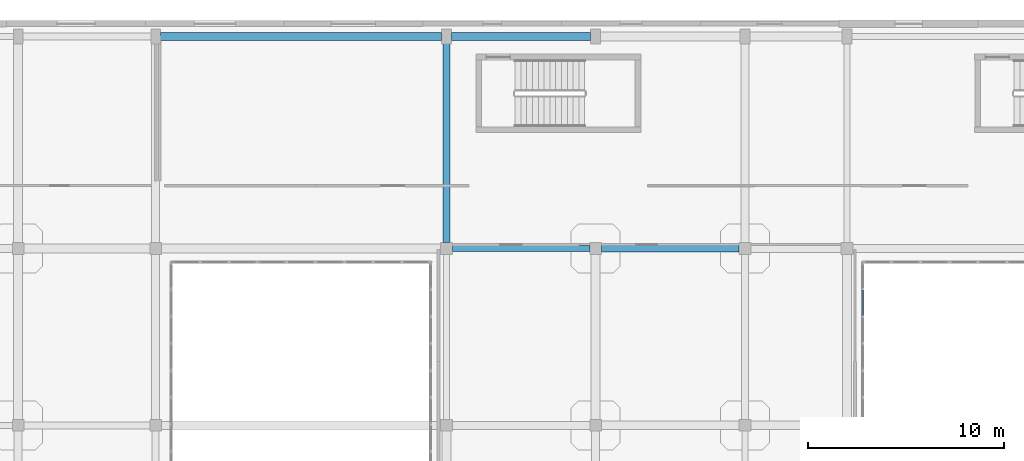
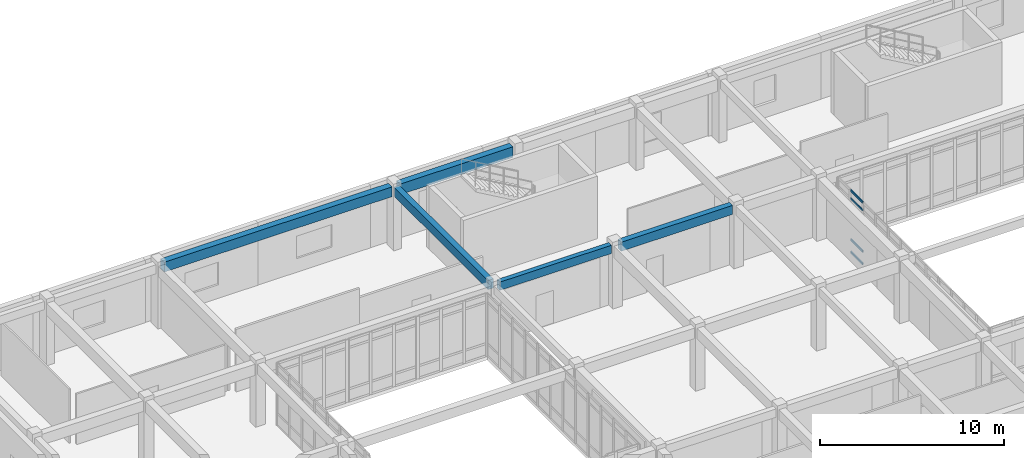
# One storey, part 93 of 142: 5 beams, 4 members, 1 element without a shape of its own.
"""IFC4 building model written with IfcOpenShell, lengths in metres."""

from ifc_helpers import new_model, si_unit, direction, frame, origin, origin_2d, place, context, subcontext, project, spatial, rectangle, hollow_rectangle, extrude, material, layer, layer_set, material_profile, profile_set, type_object, element, aggregate, save


model = new_model("IFC4")

# Units and contexts
model_context = context("Model", 3, precision=1e-05, world=origin(), true_north=direction((0.0, 1.0)))
body_context = subcontext(model_context, "Body", "Model", "MODEL_VIEW")
ifc_project = project(units=[si_unit("LENGTHUNIT", "METRE"), si_unit("AREAUNIT", "SQUARE_METRE"), si_unit("VOLUMEUNIT", "CUBIC_METRE"), si_unit("PLANEANGLEUNIT", "RADIAN"), si_unit("MASSUNIT", "GRAM", prefix="KILO")], contexts=[model_context])

# Site, building, storey
site_placement = place(None, origin())
site = spatial("IfcSite", under=ifc_project, at=site_placement, CompositionType="ELEMENT")
building_placement = place(site_placement, origin())
building = spatial("IfcBuilding", under=site, at=building_placement, Name="Valcora Specialist Clinic", CompositionType="ELEMENT")
storey_placement = place(building_placement, frame((0.0, 0.0, 5.10009765625)))
storey = spatial("IfcBuildingStorey", under=building, at=storey_placement, Name="L01", CompositionType="ELEMENT", Elevation=5.10009765625)

# Beams
ifc_material_1 = material(Name="Concrete C40/50", Category="concrete")
ifc_material_profile_1 = material_profile(ifc_material_1, rectangle(XDim=0.300048828125, YDim=0.550048828125, at=origin_2d()), Name="RC-BM-300X550")
ifc_profile_set_1 = profile_set([ifc_material_profile_1], Name="Concrete C40/50")
beam_type_1 = type_object("IfcBeamType", Name="TY-BM-RC300X550", PredefinedType="BEAM", material=ifc_profile_set_1)
beam_1_placement = place(storey_placement, frame((91.10009765625, 99.199951171875, 3.869873046875), z_axis=(1.0, 0.0, 0.0), x_axis=(0.0, 1.0, 0.0)))
element("IfcBeam", 1, at=beam_1_placement, inside=storey, type_object=beam_type_1, Name="Beam BM-L01-0643", PredefinedType="BEAM", context=body_context, shape_type="SweptSolid", body=[
    extrude(rectangle(XDim=0.300048828125, YDim=0.550048828125, at=origin_2d()), origin(), (0.0, 0.0, 1.0), 7.0),
])
ifc_material_profile_2 = material_profile(ifc_material_1, rectangle(XDim=0.35009765625, YDim=0.60009765625, at=origin_2d()), Name="RC-BM-350X600")
ifc_profile_set_2 = profile_set([ifc_material_profile_2], Name="Concrete C40/50")
beam_type_2 = type_object("IfcBeamType", Name="TY-BM-RC350X600", PredefinedType="BEAM", material=ifc_profile_set_2)
beam_2_placement = place(storey_placement, frame((98.699951171875, 99.199951171875, 3.844970703125), z_axis=(1.0, 0.0, 0.0), x_axis=(0.0, 1.0, 0.0)))
element("IfcBeam", 2, at=beam_2_placement, inside=storey, type_object=beam_type_2, Name="Beam BM-L01-0644", PredefinedType="BEAM", context=body_context, shape_type="SweptSolid", body=[
    extrude(rectangle(XDim=0.35009765625, YDim=0.60009765625, at=origin_2d()), origin(), (0.0, 0.0, 1.0), 7.0),
])
beam_3_placement = place(storey_placement, frame((90.800048828125, 99.5, 3.844970703125), z_axis=(0.0, 1.0, 0.0), x_axis=(-1.0, 0.0, 0.0)))
element("IfcBeam", 3, at=beam_3_placement, inside=storey, type_object=beam_type_2, Name="Beam BM-L01-0672", PredefinedType="BEAM", context=body_context, shape_type="SweptSolid", body=[
    extrude(rectangle(XDim=0.35009765625, YDim=0.60009765625, at=origin_2d()), origin(), (0.0, 0.0, 1.0), 10.25),
])
ifc_material_profile_3 = material_profile(ifc_material_1, rectangle(XDim=0.39990234375, YDim=0.64990234375, at=origin_2d()), Name="RC-BM-400X650")
ifc_profile_set_3 = profile_set([ifc_material_profile_3], Name="Concrete C40/50")
beam_type_3 = type_object("IfcBeamType", Name="TY-BM-RC400X650", PredefinedType="BEAM", material=ifc_profile_set_3)
beam_4_placement = place(storey_placement, frame((76.25, 110.0, 3.81982421875), z_axis=(1.0, 0.0, 0.0), x_axis=(0.0, 1.0, 0.0)))
element("IfcBeam", 4, at=beam_4_placement, inside=storey, type_object=beam_type_3, Name="Beam BM-L01-0651", PredefinedType="BEAM", context=body_context, shape_type="SweptSolid", body=[
    extrude(rectangle(XDim=0.39990234375, YDim=0.64990234375, at=origin_2d()), origin(), (0.0, 0.0, 1.0), 14.300048828125),
])
ifc_material_profile_4 = material_profile(ifc_material_1, rectangle(XDim=0.39990234375, YDim=0.699951171875, at=origin_2d()), Name="RC-BM-400X700")
ifc_profile_set_4 = profile_set([ifc_material_profile_4], Name="Concrete C40/50")
beam_type_4 = type_object("IfcBeamType", Name="TY-BM-RC400X700", PredefinedType="BEAM", material=ifc_profile_set_4)
beam_5_placement = place(storey_placement, frame((91.050048828125, 110.0, 3.794921875), z_axis=(1.0, 0.0, 0.0), x_axis=(0.0, 1.0, 0.0)))
element("IfcBeam", 5, at=beam_5_placement, inside=storey, type_object=beam_type_4, Name="Beam BM-L01-0652", PredefinedType="BEAM", context=body_context, shape_type="SweptSolid", body=[
    extrude(rectangle(XDim=0.39990234375, YDim=0.699951171875, at=origin_2d()), origin(), (0.0, 0.0, 1.0), 7.099853515625),
])

# Curtain wall, members
ifc_material_2 = material(Name="Anodized Bronze Aluminium 6063-T6", Category="aluminium")
ifc_layer = layer(ifc_material_2, 0.175048828125)
ifc_layer_set = layer_set([ifc_layer], Name="Anodized Bronze Aluminium 6063-T6")
curtain_wall_type = type_object("IfcCurtainWallType", Name="TY-CW-CRT15", PredefinedType="NOTDEFINED", material=ifc_layer_set)
curtain_wall_placement = place(storey_placement, origin())
curtain_wall = element("IfcCurtainWall", 6, at=curtain_wall_placement, inside=storey, type_object=curtain_wall_type, Name="Curtain wall CW-L01-082", PredefinedType="NOTDEFINED")
ifc_material_profile_5 = material_profile(ifc_material_2, hollow_rectangle(XDim=0.06494140625, YDim=0.1298828125, WallThickness=0.00390625, at=origin_2d()), Name="AL-TRN-65X130")
ifc_profile_set_5 = profile_set([ifc_material_profile_5], Name="Anodized Bronze Aluminium 6063-T6")
member_type = type_object("IfcMemberType", Name="TY-CWT-65X130", PredefinedType="USERDEFINED", material=ifc_profile_set_5)
member_1_placement = place(storey_placement, frame((112.0, 97.092529296875, 0.032470703125), z_axis=(0.0, -1.0, 0.0), x_axis=(1.0, 0.0, 0.0)))
member_1 = element("IfcMember", 7, at=member_1_placement, type_object=member_type, Name="CW-CRT-15 transom 2.1", ObjectType="TRANSOM", PredefinedType="USERDEFINED", context=body_context, shape_type="SweptSolid", body=[
    extrude(hollow_rectangle(XDim=0.06494140625, YDim=0.1298828125, WallThickness=0.00390625, at=origin_2d()), origin(), (0.0, 0.0, 1.0), 1.31005859375),
])
member_2_placement = place(storey_placement, frame((112.0, 97.092529296875, 0.849853515625), z_axis=(0.0, -1.0, 0.0), x_axis=(1.0, 0.0, 0.0)))
member_2 = element("IfcMember", 8, at=member_2_placement, type_object=member_type, Name="CW-CRT-15 transom 2.2", ObjectType="TRANSOM", PredefinedType="USERDEFINED", context=body_context, shape_type="SweptSolid", body=[
    extrude(hollow_rectangle(XDim=0.06494140625, YDim=0.1298828125, WallThickness=0.00390625, at=origin_2d()), origin(), (0.0, 0.0, 1.0), 1.31005859375),
])
member_3_placement = place(storey_placement, frame((112.0, 97.092529296875, 3.594970703125), z_axis=(0.0, -1.0, 0.0), x_axis=(1.0, 0.0, 0.0)))
member_3 = element("IfcMember", 9, at=member_3_placement, type_object=member_type, Name="CW-CRT-15 transom 2.3", ObjectType="TRANSOM", PredefinedType="USERDEFINED", context=body_context, shape_type="SweptSolid", body=[
    extrude(hollow_rectangle(XDim=0.06494140625, YDim=0.1298828125, WallThickness=0.00390625, at=origin_2d()), origin(), (0.0, 0.0, 1.0), 1.31005859375),
])
member_4_placement = place(storey_placement, frame((112.0, 97.092529296875, 4.1123046875), z_axis=(0.0, -1.0, 0.0), x_axis=(1.0, 0.0, 0.0)))
member_4 = element("IfcMember", 10, at=member_4_placement, type_object=member_type, Name="CW-CRT-15 transom 2.4", ObjectType="TRANSOM", PredefinedType="USERDEFINED", context=body_context, shape_type="SweptSolid", body=[
    extrude(hollow_rectangle(XDim=0.06494140625, YDim=0.1298828125, WallThickness=0.00390625, at=origin_2d()), origin(), (0.0, 0.0, 1.0), 1.31005859375),
])
aggregate(curtain_wall, [member_1, member_2, member_3, member_4])

save(model, "model.ifc")
